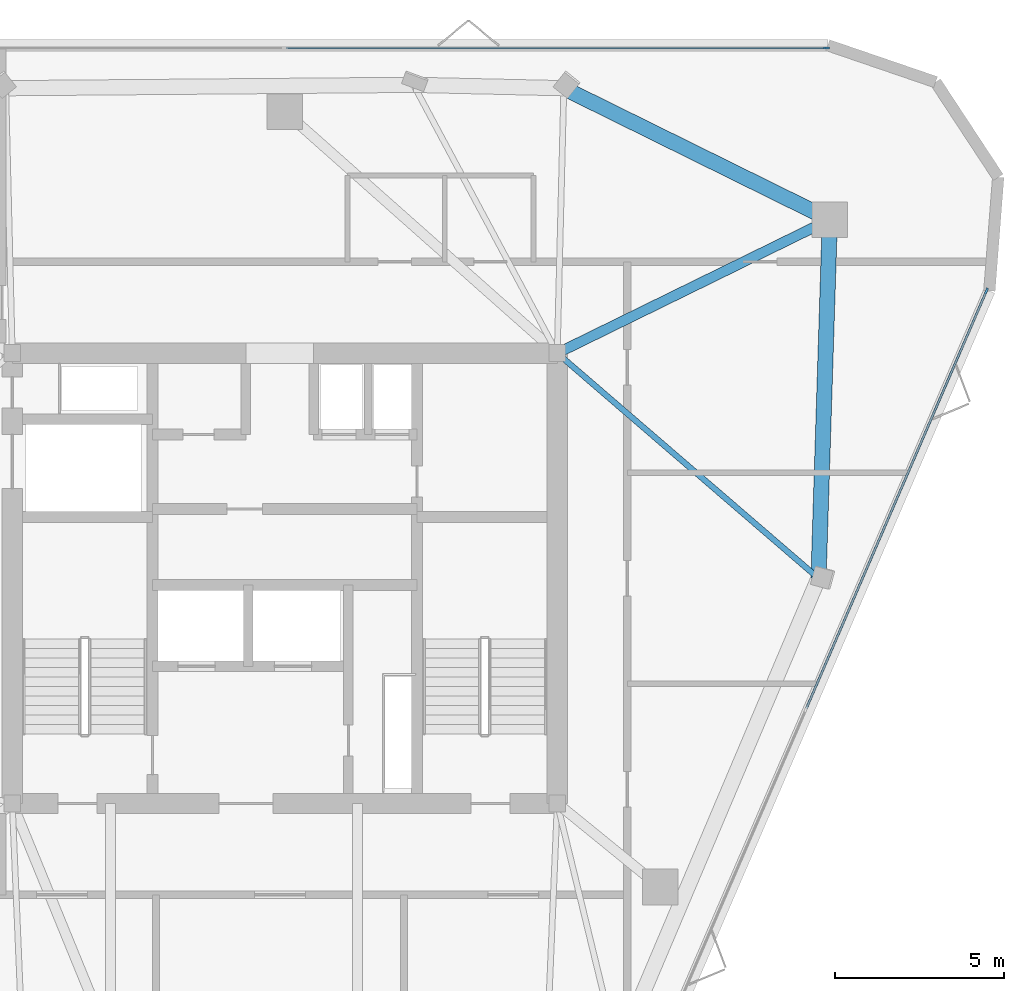
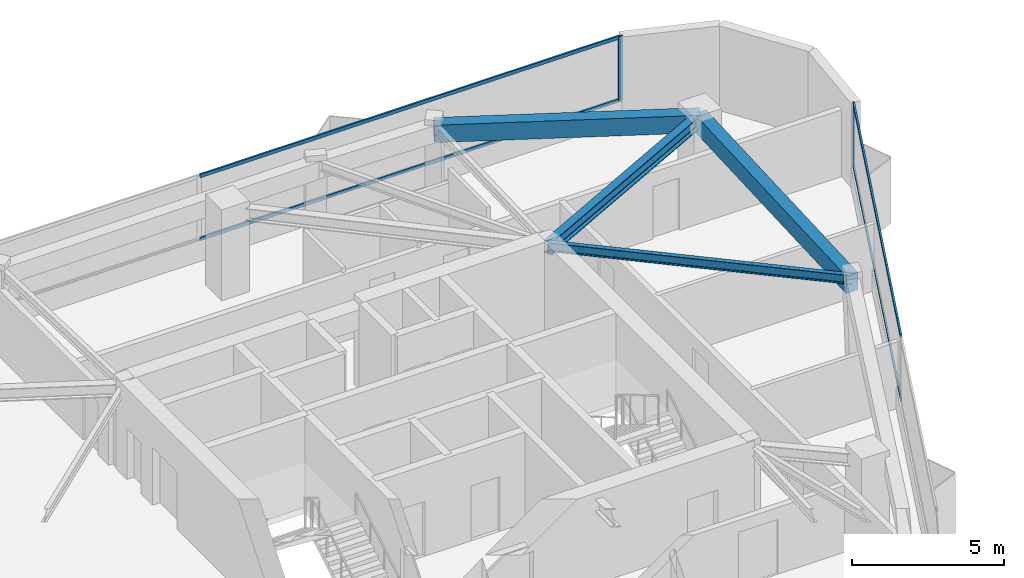
# One storey, part 5 of 9: 6 members, 4 beams, 2 elements without a shape of their own.
"""IFC4 building model written with IfcOpenShell, lengths in metres."""

from ifc_helpers import new_model, si_unit, direction, frame, origin, origin_2d, place, context, subcontext, project, spatial, rectangle, i_section, extrude, material, layer, layer_set, material_profile, profile_set, type_object, element, aggregate, save


model = new_model("IFC4")

# Units and contexts
model_context = context("Model", 3, precision=1e-05, world=origin(), true_north=direction((0.0, 1.0)))
body_context = subcontext(model_context, "Body", "Model", "MODEL_VIEW")
ifc_project = project(units=[si_unit("LENGTHUNIT", "METRE"), si_unit("AREAUNIT", "SQUARE_METRE"), si_unit("VOLUMEUNIT", "CUBIC_METRE"), si_unit("PLANEANGLEUNIT", "RADIAN"), si_unit("MASSUNIT", "GRAM", prefix="KILO")], contexts=[model_context])

# Site, building, storey
site_placement = place(None, origin())
site = spatial("IfcSite", under=ifc_project, at=site_placement, CompositionType="ELEMENT")
building_placement = place(site_placement, origin())
building = spatial("IfcBuilding", under=site, at=building_placement, Name="Talyreon Biosciences Tower", CompositionType="ELEMENT")
storey_placement = place(building_placement, frame((0.0, 0.0, 294.75)))
storey = spatial("IfcBuildingStorey", under=building, at=storey_placement, Name="L78", CompositionType="ELEMENT", Elevation=294.75)

# Curtain wall, member
ifc_material_1 = material(Name="Thermally broken aluminium and low-E glazing", Category="aluminium")
ifc_layer = layer(ifc_material_1, 0.175048828125)
ifc_layer_set = layer_set([ifc_layer], Name="Thermally broken aluminium and low-E glazing")
curtain_wall_type = type_object("IfcCurtainWallType", Name="CurtainWall_Zone5CompLab", PredefinedType="NOTDEFINED", material=ifc_layer_set)
curtain_wall_1_placement = place(storey_placement, origin())
curtain_wall_1 = element("IfcCurtainWall", 1, at=curtain_wall_1_placement, inside=storey, type_object=curtain_wall_type, Name="L78 Unitised Curtain Wall FCW-L78-04", PredefinedType="NOTDEFINED")
ifc_material_2 = material(Name="Anodised thermally broken aluminium", Category="aluminium")
ifc_material_profile_1 = material_profile(ifc_material_2, rectangle(XDim=0.06494140625, YDim=0.179931640625, at=origin_2d()), Name="ALUM MULLION 65x180")
ifc_profile_set_1 = profile_set([ifc_material_profile_1], Name="Anodised thermally broken aluminium")
member_type_1 = type_object("IfcMemberType", Name="CWMullion_65x180", PredefinedType="MULLION", material=ifc_profile_set_1)
member_1_placement = place(storey_placement, frame((82.009765625, 83.67041015625, 0.81005859375), z_axis=(0.0, 0.0, 1.0), x_axis=(0.0, 1.0, 0.0)))
member_1 = element("IfcMember", 2, at=member_1_placement, type_object=member_type_1, Name="CW6 mullion 3", PredefinedType="MULLION", context=body_context, shape_type="SweptSolid", body=[
    extrude(rectangle(XDim=0.06494140625, YDim=0.179931640625, at=origin_2d()), origin(), (0.0, 0.0, 1.0), 2.58984375),
])

curtain_wall_2_placement = place(storey_placement, origin())
curtain_wall_2 = element("IfcCurtainWall", 3, at=curtain_wall_2_placement, inside=storey, type_object=curtain_wall_type, Name="L78 Unitised Curtain Wall FCW-L78-08", PredefinedType="NOTDEFINED")
member_2_placement = place(storey_placement, frame((86.73046875, 76.4921875, 0.81005859375), z_axis=(0.0, 0.0, 1.0), x_axis=(0.918187314575, -0.396146507437, 0.0)))
member_2 = element("IfcMember", 4, at=member_2_placement, type_object=member_type_1, Name="CW6 mullion 1", PredefinedType="MULLION", context=body_context, shape_type="SweptSolid", body=[
    extrude(rectangle(XDim=0.06494140625, YDim=0.179931640625, at=origin_2d()), origin(), (0.0, 0.0, 1.0), 2.58984375),
])

# Member
ifc_material_profile_2 = material_profile(ifc_material_2, rectangle(XDim=0.06494140625, YDim=0.139892578125, at=origin_2d()), Name="ALUM TRANSOM 65x140")
ifc_profile_set_2 = profile_set([ifc_material_profile_2], Name="Anodised thermally broken aluminium")
member_type_2 = type_object("IfcMemberType", Name="CWTransom_65x140", PredefinedType="USERDEFINED", material=ifc_profile_set_2)
member_3_placement = place(storey_placement, frame((66.032470703125, 83.67041015625, 0.842529296875), z_axis=(1.0, 0.0, 0.0), x_axis=(0.0, 1.0, 0.0)))
member_3 = element("IfcMember", 5, at=member_3_placement, type_object=member_type_2, Name="CW6 transom 2.1", ObjectType="TRANSOM", PredefinedType="USERDEFINED", context=body_context, shape_type="SweptSolid", body=[
    extrude(rectangle(XDim=0.06494140625, YDim=0.139892578125, at=origin_2d()), origin(), (0.0, 0.0, 1.0), 15.94482421875),
])

member_4_placement = place(storey_placement, frame((66.032470703125, 83.67041015625, 3.367431640625), z_axis=(1.0, 0.0, 0.0), x_axis=(0.0, 1.0, 0.0)))
member_4 = element("IfcMember", 6, at=member_4_placement, type_object=member_type_2, Name="CW6 transom 2.2", ObjectType="TRANSOM", PredefinedType="USERDEFINED", context=body_context, shape_type="SweptSolid", body=[
    extrude(rectangle(XDim=0.06494140625, YDim=0.139892578125, at=origin_2d()), origin(), (0.0, 0.0, 1.0), 15.94482421875),
])

aggregate(curtain_wall_1, [member_1, member_3, member_4])

member_5_placement = place(storey_placement, frame((86.717529296875, 76.46240234375, 0.842529296875), z_axis=(-0.396134480122, -0.918192503595, 0.0), x_axis=(0.918192503595, -0.396134480122, 0.0)))
member_5 = element("IfcMember", 7, at=member_5_placement, type_object=member_type_2, Name="CW6 transom 1.1", ObjectType="TRANSOM", PredefinedType="USERDEFINED", context=body_context, shape_type="SweptSolid", body=[
    extrude(rectangle(XDim=0.06494140625, YDim=0.139892578125, at=origin_2d()), origin(), (0.0, 0.0, 1.0), 13.40087890625),
])

member_6_placement = place(storey_placement, frame((86.717529296875, 76.46240234375, 3.367431640625), z_axis=(-0.396134480122, -0.918192503595, 0.0), x_axis=(0.918192503595, -0.396134480122, 0.0)))
member_6 = element("IfcMember", 8, at=member_6_placement, type_object=member_type_2, Name="CW6 transom 1.2", ObjectType="TRANSOM", PredefinedType="USERDEFINED", context=body_context, shape_type="SweptSolid", body=[
    extrude(rectangle(XDim=0.06494140625, YDim=0.139892578125, at=origin_2d()), origin(), (0.0, 0.0, 1.0), 13.40087890625),
])

aggregate(curtain_wall_2, [member_2, member_5, member_6])

# Beams
ifc_material_3 = material(Name="Precast concrete C45/55", Category="concrete")
ifc_material_profile_3 = material_profile(ifc_material_3, rectangle(XDim=0.449951171875, YDim=0.699951171875, at=origin_2d()), Name="RCB 450x700")
ifc_profile_set_3 = profile_set([ifc_material_profile_3], Name="Precast concrete C45/55")
beam_type_1 = type_object("IfcBeamType", Name="ExpressedSpandrel_450x700", PredefinedType="SPANDREL", material=ifc_profile_set_3)
beam_1_placement = place(storey_placement, frame((81.767822265625, 68.001708984375, 3.050048828125), z_axis=(0.031547473535, 0.999502254582, 0.0), x_axis=(-0.999502254582, 0.031547473535, 0.0)))
element("IfcBeam", 9, at=beam_1_placement, inside=storey, type_object=beam_type_1, Name="L78 Expressed Horizontal Concrete Spandrel 04", PredefinedType="SPANDREL", context=body_context, shape_type="SweptSolid", body=[
    extrude(rectangle(XDim=0.449951171875, YDim=0.699951171875, at=origin_2d()), origin(), (0.0, 0.0, 1.0), 10.602294921875),
])
beam_2_placement = place(storey_placement, frame((82.102294921875, 78.5986328125, 3.050048828125), z_axis=(-0.896688837644, 0.442661415129, 0.0), x_axis=(-0.442661415129, -0.896688837644, 0.0)))
element("IfcBeam", 10, at=beam_2_placement, inside=storey, type_object=beam_type_1, Name="L78 Expressed Horizontal Concrete Spandrel 05", PredefinedType="SPANDREL", context=body_context, shape_type="SweptSolid", body=[
    extrude(rectangle(XDim=0.449951171875, YDim=0.699951171875, at=origin_2d()), origin(), (0.0, 0.0, 1.0), 8.763916015625),
])
ifc_material_4 = material(Name="Steel SM355", Category="steel")
ifc_material_profile_4 = material_profile(ifc_material_4, i_section(OverallWidth=0.300048828125, OverallDepth=0.5, WebThickness=0.014404296875, FlangeThickness=0.028076171875, FilletRadius=0.027099609375, at=origin_2d()), Name="HE500B")
ifc_profile_set_4 = profile_set([ifc_material_profile_4], Name="Steel SM355")
beam_type_2 = type_object("IfcBeamType", Name="SteelBeam_HE500B", PredefinedType="BEAM", material=ifc_profile_set_4)
beam_3_placement = place(storey_placement, frame((74.050048828125, 74.64990234375, 3.14990234375), z_axis=(0.897852360314, 0.440296648952, 0.0), x_axis=(-0.440296648952, 0.897852360314, 0.0)))
element("IfcBeam", 11, at=beam_3_placement, inside=storey, type_object=beam_type_2, Name="L78 Radial Primary Girder 3", PredefinedType="BEAM", context=body_context, shape_type="SweptSolid", body=[
    extrude(i_section(OverallWidth=0.300048828125, OverallDepth=0.5, WebThickness=0.014404296875, FlangeThickness=0.028076171875, FilletRadius=0.027099609375, at=origin_2d()), origin(), (0.0, 0.0, 1.0), 8.96826171875),
])
ifc_material_profile_5 = material_profile(ifc_material_4, i_section(OverallWidth=0.169921875, OverallDepth=0.360107421875, WebThickness=0.008056640625, FlangeThickness=0.0126953125, FilletRadius=0.01806640625, at=origin_2d()), Name="IPE360")
ifc_profile_set_5 = profile_set([ifc_material_profile_5], Name="Steel SM355")
beam_type_3 = type_object("IfcBeamType", Name="SteelJoist_IPE360", PredefinedType="JOIST", material=ifc_profile_set_5)
beam_4_placement = place(storey_placement, frame((74.050048828125, 74.64990234375, 3.219970703125), z_axis=(0.757655548712, -0.652654632639, 0.0), x_axis=(0.652654632639, 0.757655548712, 0.0)))
element("IfcBeam", 12, at=beam_4_placement, inside=storey, type_object=beam_type_3, Name="L78 Radial Composite Floor Joist PC-SE2", PredefinedType="JOIST", context=body_context, shape_type="SweptSolid", body=[
    extrude(i_section(OverallWidth=0.169921875, OverallDepth=0.360107421875, WebThickness=0.008056640625, FlangeThickness=0.0126953125, FilletRadius=0.01806640625, at=origin_2d()), origin(), (0.0, 0.0, 1.0), 10.186279296875),
])

save(model, "model.ifc")
